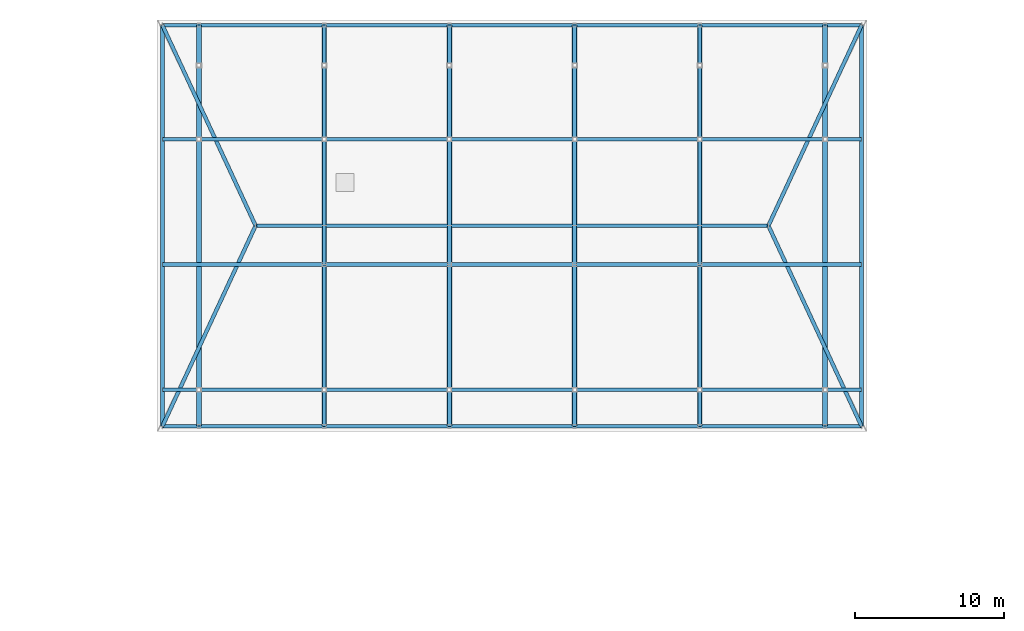
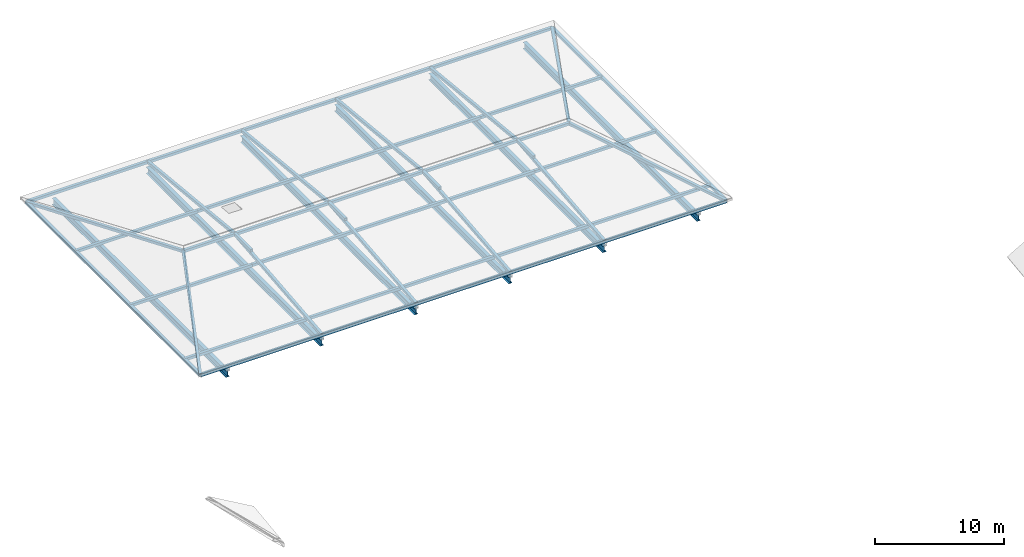
# One storey, part 3 of 13: 30 members, 6 beams.
"""IFC4 building model written with IfcOpenShell, lengths in metres."""

from ifc_helpers import new_model, si_unit, direction, frame, origin, origin_2d, place, context, subcontext, project, spatial, hollow_rectangle, i_section, extrude, material, material_profile, profile_set, type_object, element, save


model = new_model("IFC4")

# Units and contexts
model_context = context("Model", 3, precision=1e-05, world=origin(), true_north=direction((0.0, 1.0)))
body_context = subcontext(model_context, "Body", "Model", "MODEL_VIEW")
ifc_project = project(units=[si_unit("LENGTHUNIT", "METRE"), si_unit("AREAUNIT", "SQUARE_METRE"), si_unit("VOLUMEUNIT", "CUBIC_METRE"), si_unit("PLANEANGLEUNIT", "RADIAN"), si_unit("MASSUNIT", "GRAM", prefix="KILO")], contexts=[model_context])

# Site, building, storey
site_placement = place(None, origin())
site = spatial("IfcSite", under=ifc_project, at=site_placement, CompositionType="ELEMENT")
building_placement = place(site_placement, origin())
building = spatial("IfcBuilding", under=site, at=building_placement, Name="Cumbredor Promenade Congress Hotel", CompositionType="ELEMENT")
storey_placement = place(building_placement, frame((0.0, 0.0, 38.639892578125)))
storey = spatial("IfcBuildingStorey", under=building, at=storey_placement, Name="RF", CompositionType="ELEMENT", Elevation=38.639892578125)

# Beams
ifc_material_1 = material(Name="Steel ASTM A992 Grade 50", Category="steel")
ifc_material_profile_1 = material_profile(ifc_material_1, i_section(OverallWidth=0.323974609375, OverallDepth=0.611083984375, WebThickness=0.0126953125, FlangeThickness=0.01904296875, at=origin_2d()), Name="W24X104")
ifc_profile_set_1 = profile_set([ifc_material_profile_1], Name="Steel ASTM A992 Grade 50")
beam_type = type_object("IfcBeamType", Name="BM-W24X104", PredefinedType="BEAM", material=ifc_profile_set_1)
for number, where, z_axis, x_axis, name in (
    (1, (8.39990234375, 89.949951171875, -0.525390625), (0.0, 1.0, 0.0), (-1.0, 0.0, 0.0), "Hotel Broad-Eave Primary Roof Girder X8"),
    (2, (16.800048828125, 89.949951171875, -0.525390625), (0.0, 1.0, 0.0), (-1.0, 0.0, 0.0), "Hotel Broad-Eave Primary Roof Girder X16"),
    (3, (25.199951171875, 89.949951171875, -0.525390625), (0.0, 1.0, 0.0), (-1.0, 0.0, 0.0), "Hotel Broad-Eave Primary Roof Girder X25"),
    (4, (33.60009765625, 89.949951171875, -0.525390625), (0.0, 1.0, 0.0), (-1.0, 0.0, 0.0), "Hotel Broad-Eave Primary Roof Girder X33"),
    (5, (42.0, 89.949951171875, -0.525390625), (0.0, 1.0, 0.0), (-1.0, 0.0, 0.0), "Hotel Broad-Eave Primary Roof Girder X42"),
    (6, (50.39990234375, 89.949951171875, -0.525390625), (0.0, 1.0, 0.0), (-1.0, 0.0, 0.0), "Hotel Broad-Eave Primary Roof Girder X50"),
):
    element("IfcBeam", number, at=place(storey_placement, frame(where, z_axis=z_axis, x_axis=x_axis)), inside=storey, type_object=beam_type, Name=name, PredefinedType="BEAM", context=body_context, shape_type="SweptSolid", body=[
        extrude(i_section(OverallWidth=0.323974609375, OverallDepth=0.611083984375, WebThickness=0.0126953125, FlangeThickness=0.01904296875, at=origin_2d()), origin(), (0.0, 0.0, 1.0), 26.900146484375),
    ])

# Members
ifc_material_2 = material(Name="Steel ASTM A500 Grade C", Category="steel")
ifc_material_profile_2 = material_profile(ifc_material_2, hollow_rectangle(XDim=0.25, YDim=0.25, WallThickness=0.012451171875, at=origin_2d()), Name="HSS 250x250x12.5")
ifc_profile_set_2 = profile_set([ifc_material_profile_2], Name="Steel ASTM A500 Grade C")
member_type = type_object("IfcMemberType", Name="Hotel Tropical Roof Rafter Chord", PredefinedType="RAFTER", material=ifc_profile_set_2)
member_1_placement = place(storey_placement, frame((16.800048828125, 89.949951171875, 0.22021484375), z_axis=(0.0, 0.995001540936, 0.099859569074), x_axis=(-1.0, 0.0, 0.0)))
element("IfcMember", 7, at=member_1_placement, inside=storey, type_object=member_type, Name="Hotel Broad-Eave Tropical Rafter 01S", PredefinedType="RAFTER", context=body_context, shape_type="SweptSolid", body=[
    extrude(hollow_rectangle(XDim=0.25, YDim=0.25, WallThickness=0.012451171875, at=origin_2d()), origin(), (0.0, 0.0, 1.0), 13.517578125),
])
member_2_placement = place(storey_placement, frame((16.800048828125, 116.85009765625, 0.22021484375), z_axis=(0.0, -0.995001721034, 0.099857774552), x_axis=(1.0, 0.0, 0.0)))
element("IfcMember", 8, at=member_2_placement, inside=storey, type_object=member_type, Name="Hotel Broad-Eave Tropical Rafter 01N", PredefinedType="RAFTER", context=body_context, shape_type="SweptSolid", body=[
    extrude(hollow_rectangle(XDim=0.25, YDim=0.25, WallThickness=0.012451171875, at=origin_2d()), origin(), (0.0, 0.0, 1.0), 13.517822265625),
])
member_3_placement = place(storey_placement, frame((25.199951171875, 89.949951171875, 0.22021484375), z_axis=(0.0, 0.995001540936, 0.099859569074), x_axis=(-1.0, 0.0, 0.0)))
element("IfcMember", 9, at=member_3_placement, inside=storey, type_object=member_type, Name="Hotel Broad-Eave Tropical Rafter 02S", PredefinedType="RAFTER", context=body_context, shape_type="SweptSolid", body=[
    extrude(hollow_rectangle(XDim=0.25, YDim=0.25, WallThickness=0.012451171875, at=origin_2d()), origin(), (0.0, 0.0, 1.0), 13.517578125),
])
member_4_placement = place(storey_placement, frame((25.199951171875, 116.85009765625, 0.22021484375), z_axis=(0.0, -0.995001721034, 0.099857774552), x_axis=(1.0, 0.0, 0.0)))
element("IfcMember", 10, at=member_4_placement, inside=storey, type_object=member_type, Name="Hotel Broad-Eave Tropical Rafter 02N", PredefinedType="RAFTER", context=body_context, shape_type="SweptSolid", body=[
    extrude(hollow_rectangle(XDim=0.25, YDim=0.25, WallThickness=0.012451171875, at=origin_2d()), origin(), (0.0, 0.0, 1.0), 13.517822265625),
])
member_5_placement = place(storey_placement, frame((33.60009765625, 89.949951171875, 0.22021484375), z_axis=(0.0, 0.995001540936, 0.099859569074), x_axis=(-1.0, 0.0, 0.0)))
element("IfcMember", 11, at=member_5_placement, inside=storey, type_object=member_type, Name="Hotel Broad-Eave Tropical Rafter 03S", PredefinedType="RAFTER", context=body_context, shape_type="SweptSolid", body=[
    extrude(hollow_rectangle(XDim=0.25, YDim=0.25, WallThickness=0.012451171875, at=origin_2d()), origin(), (0.0, 0.0, 1.0), 13.517578125),
])
member_6_placement = place(storey_placement, frame((33.60009765625, 116.85009765625, 0.22021484375), z_axis=(0.0, -0.995001721034, 0.099857774552), x_axis=(1.0, 0.0, 0.0)))
element("IfcMember", 12, at=member_6_placement, inside=storey, type_object=member_type, Name="Hotel Broad-Eave Tropical Rafter 03N", PredefinedType="RAFTER", context=body_context, shape_type="SweptSolid", body=[
    extrude(hollow_rectangle(XDim=0.25, YDim=0.25, WallThickness=0.012451171875, at=origin_2d()), origin(), (0.0, 0.0, 1.0), 13.517822265625),
])
member_7_placement = place(storey_placement, frame((42.0, 89.949951171875, 0.22021484375), z_axis=(0.0, 0.995001540936, 0.099859569074), x_axis=(-1.0, 0.0, 0.0)))
element("IfcMember", 13, at=member_7_placement, inside=storey, type_object=member_type, Name="Hotel Broad-Eave Tropical Rafter 04S", PredefinedType="RAFTER", context=body_context, shape_type="SweptSolid", body=[
    extrude(hollow_rectangle(XDim=0.25, YDim=0.25, WallThickness=0.012451171875, at=origin_2d()), origin(), (0.0, 0.0, 1.0), 13.517578125),
])
member_8_placement = place(storey_placement, frame((42.0, 116.85009765625, 0.22021484375), z_axis=(0.0, -0.995001721034, 0.099857774552), x_axis=(1.0, 0.0, 0.0)))
element("IfcMember", 14, at=member_8_placement, inside=storey, type_object=member_type, Name="Hotel Broad-Eave Tropical Rafter 04N", PredefinedType="RAFTER", context=body_context, shape_type="SweptSolid", body=[
    extrude(hollow_rectangle(XDim=0.25, YDim=0.25, WallThickness=0.012451171875, at=origin_2d()), origin(), (0.0, 0.0, 1.0), 13.517822265625),
])
member_9_placement = place(storey_placement, frame((5.949951171875, 92.39990234375, 0.22021484375), z_axis=(1.0, 0.0, 0.0), x_axis=(0.0, 1.0, 0.0)))
element("IfcMember", 15, at=member_9_placement, inside=storey, type_object=member_type, Name="Hotel Broad-Eave Longitudinal Tie S-W", PredefinedType="RAFTER", context=body_context, shape_type="SweptSolid", body=[
    extrude(hollow_rectangle(XDim=0.25, YDim=0.25, WallThickness=0.012451171875, at=origin_2d()), origin(), (0.0, 0.0, 1.0), 10.85009765625),
])
member_10_placement = place(storey_placement, frame((16.800048828125, 92.39990234375, 0.22021484375), z_axis=(1.0, 0.0, 0.0), x_axis=(0.0, 1.0, 0.0)))
element("IfcMember", 16, at=member_10_placement, inside=storey, type_object=member_type, Name="Hotel Broad-Eave Longitudinal Tie S-C", PredefinedType="RAFTER", context=body_context, shape_type="SweptSolid", body=[
    extrude(hollow_rectangle(XDim=0.25, YDim=0.25, WallThickness=0.012451171875, at=origin_2d()), origin(), (0.0, 0.0, 1.0), 25.199951171875),
])
for number, where, z_axis, x_axis, name in (
    (17, (42.0, 92.39990234375, 0.22021484375), (1.0, 0.0, 0.0), (0.0, 1.0, 0.0), "Hotel Broad-Eave Longitudinal Tie S-E"),
    (18, (5.949951171875, 100.800048828125, 0.22021484375), (1.0, 0.0, 0.0), (0.0, 1.0, 0.0), "Hotel Broad-Eave Longitudinal Tie M-W"),
):
    element("IfcMember", number, at=place(storey_placement, frame(where, z_axis=z_axis, x_axis=x_axis)), inside=storey, type_object=member_type, Name=name, PredefinedType="RAFTER", context=body_context, shape_type="SweptSolid", body=[
        extrude(hollow_rectangle(XDim=0.25, YDim=0.25, WallThickness=0.012451171875, at=origin_2d()), origin(), (0.0, 0.0, 1.0), 10.85009765625),
    ])
member_11_placement = place(storey_placement, frame((16.800048828125, 100.800048828125, 0.22021484375), z_axis=(1.0, 0.0, 0.0), x_axis=(0.0, 1.0, 0.0)))
element("IfcMember", 19, at=member_11_placement, inside=storey, type_object=member_type, Name="Hotel Broad-Eave Longitudinal Tie M-C", PredefinedType="RAFTER", context=body_context, shape_type="SweptSolid", body=[
    extrude(hollow_rectangle(XDim=0.25, YDim=0.25, WallThickness=0.012451171875, at=origin_2d()), origin(), (0.0, 0.0, 1.0), 25.199951171875),
])
for number, where, z_axis, x_axis, name in (
    (20, (42.0, 100.800048828125, 0.22021484375), (1.0, 0.0, 0.0), (0.0, 1.0, 0.0), "Hotel Broad-Eave Longitudinal Tie M-E"),
    (21, (5.949951171875, 109.199951171875, 0.22021484375), (1.0, 0.0, 0.0), (0.0, 1.0, 0.0), "Hotel Broad-Eave Longitudinal Tie N-W"),
):
    element("IfcMember", number, at=place(storey_placement, frame(where, z_axis=z_axis, x_axis=x_axis)), inside=storey, type_object=member_type, Name=name, PredefinedType="RAFTER", context=body_context, shape_type="SweptSolid", body=[
        extrude(hollow_rectangle(XDim=0.25, YDim=0.25, WallThickness=0.012451171875, at=origin_2d()), origin(), (0.0, 0.0, 1.0), 10.85009765625),
    ])
member_12_placement = place(storey_placement, frame((16.800048828125, 109.199951171875, 0.22021484375), z_axis=(1.0, 0.0, 0.0), x_axis=(0.0, 1.0, 0.0)))
element("IfcMember", 22, at=member_12_placement, inside=storey, type_object=member_type, Name="Hotel Broad-Eave Longitudinal Tie N-C", PredefinedType="RAFTER", context=body_context, shape_type="SweptSolid", body=[
    extrude(hollow_rectangle(XDim=0.25, YDim=0.25, WallThickness=0.012451171875, at=origin_2d()), origin(), (0.0, 0.0, 1.0), 25.199951171875),
])
member_13_placement = place(storey_placement, frame((42.0, 109.199951171875, 0.22021484375), z_axis=(1.0, 0.0, 0.0), x_axis=(0.0, 1.0, 0.0)))
element("IfcMember", 23, at=member_13_placement, inside=storey, type_object=member_type, Name="Hotel Broad-Eave Longitudinal Tie N-E", PredefinedType="RAFTER", context=body_context, shape_type="SweptSolid", body=[
    extrude(hollow_rectangle(XDim=0.25, YDim=0.25, WallThickness=0.012451171875, at=origin_2d()), origin(), (0.0, 0.0, 1.0), 10.85009765625),
])
member_14_placement = place(storey_placement, frame((12.199951171875, 103.39990234375, 1.570068359375), z_axis=(1.0, 0.0, 0.0), x_axis=(0.0, 1.0, 0.0)))
element("IfcMember", 24, at=member_14_placement, inside=storey, type_object=member_type, Name="Hotel Tropical Roof Main Ridge Beam", PredefinedType="RAFTER", context=body_context, shape_type="SweptSolid", body=[
    extrude(hollow_rectangle(XDim=0.25, YDim=0.25, WallThickness=0.012451171875, at=origin_2d()), origin(), (0.0, 0.0, 1.0), 34.400146484375),
])
for number, where, z_axis, x_axis, name in (
    (25, (16.800048828125, 100.800048828125, 1.570068359375), (0.0, 1.0, 0.0), (-1.0, 0.0, 0.0), "Hotel Roof Ridge Cross Strut 01"),
    (26, (25.199951171875, 100.800048828125, 1.570068359375), (0.0, 1.0, 0.0), (-1.0, 0.0, 0.0), "Hotel Roof Ridge Cross Strut 02"),
    (27, (33.60009765625, 100.800048828125, 1.570068359375), (0.0, 1.0, 0.0), (-1.0, 0.0, 0.0), "Hotel Roof Ridge Cross Strut 03"),
    (28, (42.0, 100.800048828125, 1.570068359375), (0.0, 1.0, 0.0), (-1.0, 0.0, 0.0), "Hotel Roof Ridge Cross Strut 04"),
):
    element("IfcMember", number, at=place(storey_placement, frame(where, z_axis=z_axis, x_axis=x_axis)), inside=storey, type_object=member_type, Name=name, PredefinedType="RAFTER", context=body_context, shape_type="SweptSolid", body=[
        extrude(hollow_rectangle(XDim=0.25, YDim=0.25, WallThickness=0.012451171875, at=origin_2d()), origin(), (0.0, 0.0, 1.0), 2.599853515625),
    ])
for number, where, z_axis, x_axis, name in (
    (29, (5.949951171875, 89.949951171875, 0.22021484375), (1.0, 0.0, 0.0), (0.0, 1.0, 0.0), "Hotel Broad-Eave Perimeter Fascia Beam S"),
    (30, (5.949951171875, 116.85009765625, 0.22021484375), (1.0, 0.0, 0.0), (0.0, 1.0, 0.0), "Hotel Broad-Eave Perimeter Fascia Beam N"),
):
    element("IfcMember", number, at=place(storey_placement, frame(where, z_axis=z_axis, x_axis=x_axis)), inside=storey, type_object=member_type, Name=name, PredefinedType="RAFTER", context=body_context, shape_type="SweptSolid", body=[
        extrude(hollow_rectangle(XDim=0.25, YDim=0.25, WallThickness=0.012451171875, at=origin_2d()), origin(), (0.0, 0.0, 1.0), 46.900146484375),
    ])
for number, where, z_axis, x_axis, name in (
    (31, (5.949951171875, 89.949951171875, 0.22021484375), (0.0, 1.0, 0.0), (-1.0, 0.0, 0.0), "Hotel Broad-Eave Perimeter Fascia Beam W"),
    (32, (52.85009765625, 89.949951171875, 0.22021484375), (0.0, 1.0, 0.0), (-1.0, 0.0, 0.0), "Hotel Broad-Eave Perimeter Fascia Beam E"),
):
    element("IfcMember", number, at=place(storey_placement, frame(where, z_axis=z_axis, x_axis=x_axis)), inside=storey, type_object=member_type, Name=name, PredefinedType="RAFTER", context=body_context, shape_type="SweptSolid", body=[
        extrude(hollow_rectangle(XDim=0.25, YDim=0.25, WallThickness=0.012451171875, at=origin_2d()), origin(), (0.0, 0.0, 1.0), 26.900146484375),
    ])
for number, where, z_axis, x_axis, name in (
    (33, (5.949951171875, 89.949951171875, 0.22021484375), (0.419675056702, 0.903137443312, 0.090639976114), (-0.906870370687, 0.42140969468, 0.0), "Hotel Tropical Hip Rafter SW"),
    (34, (5.949951171875, 116.85009765625, 0.22021484375), (0.419668843228, -0.903140465278, 0.090638634149), (0.906873293923, 0.421403403841, 0.0), "Hotel Tropical Hip Rafter NW"),
    (35, (52.85009765625, 89.949951171875, 0.22021484375), (-0.419675056702, 0.903137443312, 0.090639976114), (-0.906870370687, -0.42140969468, 0.0), "Hotel Tropical Hip Rafter SE"),
    (36, (52.85009765625, 116.85009765625, 0.22021484375), (-0.419668843228, -0.903140465278, 0.090638634149), (0.906873293923, -0.421403403841, 0.0), "Hotel Tropical Hip Rafter NE"),
):
    element("IfcMember", number, at=place(storey_placement, frame(where, z_axis=z_axis, x_axis=x_axis)), inside=storey, type_object=member_type, Name=name, PredefinedType="RAFTER", context=body_context, shape_type="SweptSolid", body=[
        extrude(hollow_rectangle(XDim=0.25, YDim=0.25, WallThickness=0.012451171875, at=origin_2d()), origin(), (0.0, 0.0, 1.0), 14.892578125),
    ])

save(model, "model.ifc")
